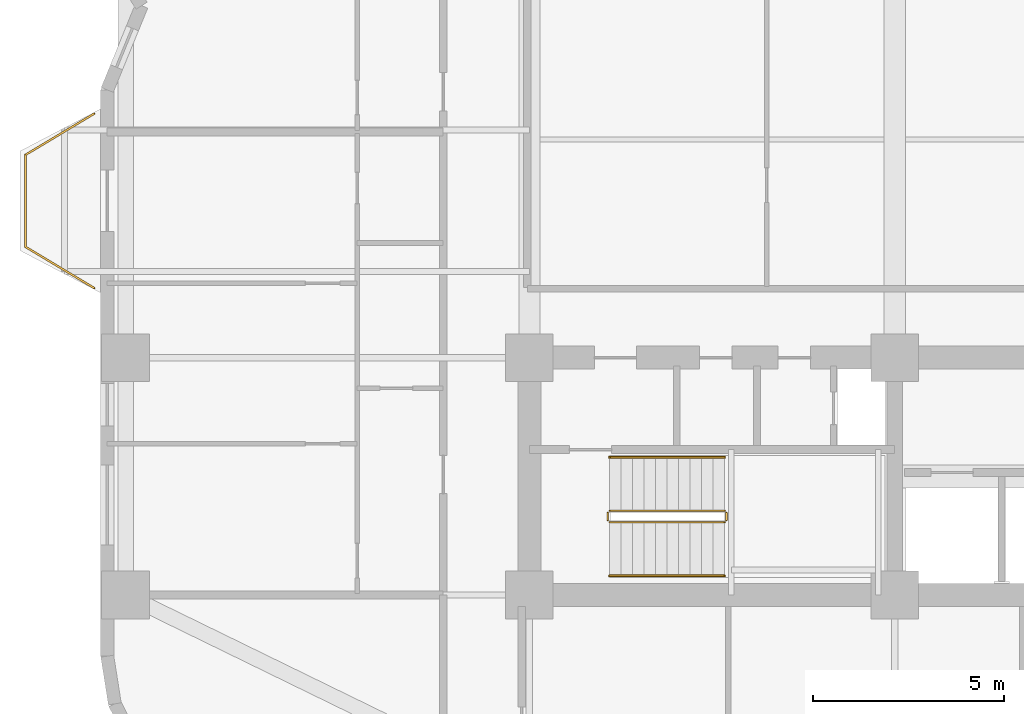
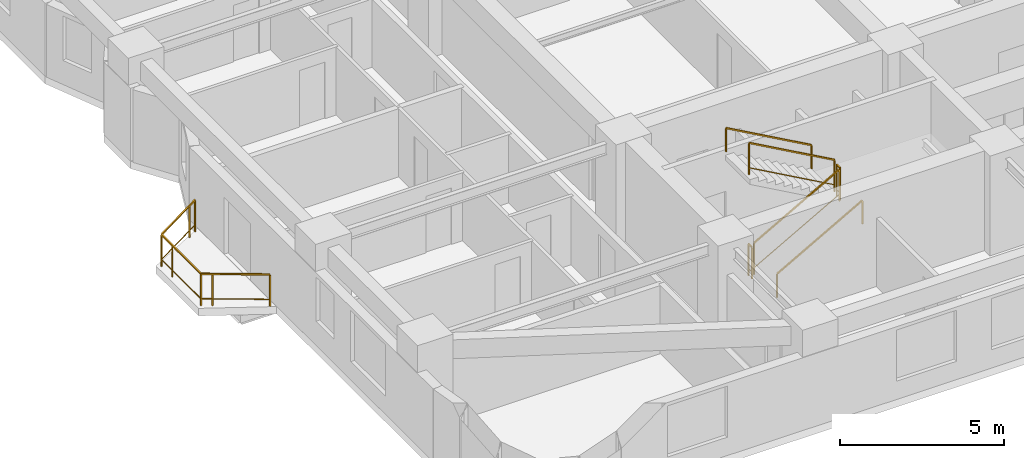
# One storey, part 12 of 13: 7 railings.
"""IFC4 building model written with IfcOpenShell, lengths in metres."""

import ifcopenshell
import ifcopenshell.guid

model = None  # the IFC model being written
_history = None  # IfcOwnerHistory: only IFC2X3 demands one
_inside = {}  # id of a spatial element -> (the spatial element, [elements in it])
_under = {}  # id of a project, library or spatial element -> (it, [spatial elements below it])
_declared = {}  # id of a project -> (the project, [libraries it declares])
_typed = {}  # id of a type object -> (the type object, [elements of that type])
_made_of = {}  # id of a material, layer set ... -> (it, [elements and type objects made of it])


def new_model(schema):
    """Start an empty IFC model of exactly this schema.

    Asked for "IFC4X3", IfcOpenShell would pick the latest addendum, in which some entities
    have other attributes; the version numbers below select the first issue.
    IFC2X3 requires an IfcOwnerHistory on every rooted entity: one is made here for all.
    """
    global model, _history
    if schema == "IFC4X3":
        model = ifcopenshell.file(schema_version=(4, 3, 0, 0))
    else:
        model = ifcopenshell.file(schema=schema)
    _inside.clear()
    _under.clear()
    _declared.clear()
    _typed.clear()
    _made_of.clear()
    _history = None
    if model.schema == "IFC2X3":
        org = make("IfcOrganization", Name="unknown")
        user = make(
            "IfcPersonAndOrganization",
            ThePerson=make("IfcPerson", FamilyName="unknown"),
            TheOrganization=org,
        )
        app = make(
            "IfcApplication",
            ApplicationDeveloper=org,
            Version="unknown",
            ApplicationFullName="unknown",
            ApplicationIdentifier="unknown",
        )
        _history = make(
            "IfcOwnerHistory",
            OwningUser=user,
            OwningApplication=app,
            ChangeAction="ADDED",
            CreationDate=0,
        )
    return model


def make(cls, **values):
    """One entity of the class cls with the attributes given. An attribute that is None is left unset."""
    return model.create_entity(
        cls, **{name: value for name, value in values.items() if value is not None}
    )


def rooted(cls, **values):
    """An entity with a GlobalId (a new one), such as an element, a storey or a relation."""
    return make(cls, GlobalId=ifcopenshell.guid.new(), OwnerHistory=_history, **values)


def si_unit(unit_type, name, prefix=None):
    """IfcSIUnit, for example si_unit("LENGTHUNIT", "METRE", prefix="MILLI")."""
    return make("IfcSIUnit", UnitType=unit_type, Prefix=prefix, Name=name)


def assignment(units):
    """IfcUnitAssignment: the units of a project."""
    return None if units is None else make("IfcUnitAssignment", Units=units)


def point(xyz):
    """IfcCartesianPoint."""
    return None if xyz is None else make("IfcCartesianPoint", Coordinates=xyz)


def direction(xyz):
    """IfcDirection."""
    return None if xyz is None else make("IfcDirection", DirectionRatios=xyz)


def frame(location, z_axis=None, x_axis=None):
    """IfcAxis2Placement3D, a coordinate frame: its origin and axes. An axis left out is left unset."""
    return make(
        "IfcAxis2Placement3D",
        Location=point(location),
        Axis=direction(z_axis),
        RefDirection=direction(x_axis),
    )


def frame_2d(location, x_axis=None):
    """IfcAxis2Placement2D, a coordinate frame in the plane: its origin and x axis."""
    return make(
        "IfcAxis2Placement2D", Location=point(location), RefDirection=direction(x_axis)
    )


def origin():
    """The frame at (0, 0, 0) with its axes left unset."""
    return frame((0.0, 0.0, 0.0))


def origin_2d():
    """The frame at (0, 0) in the plane with its x axis left unset."""
    return frame_2d((0.0, 0.0))


def place(relative_to, where):
    """IfcLocalPlacement: puts the frame where relative to a parent placement (None: the world)."""
    return make(
        "IfcLocalPlacement", PlacementRelTo=relative_to, RelativePlacement=where
    )


def context(
    kind, dimensions, precision=None, world=None, true_north=None, identifier=None
):
    """IfcGeometricRepresentationContext, for example the 3D "Model" context."""
    return make(
        "IfcGeometricRepresentationContext",
        ContextIdentifier=identifier,
        ContextType=kind,
        CoordinateSpaceDimension=dimensions,
        Precision=precision,
        WorldCoordinateSystem=world,
        TrueNorth=true_north,
    )


def subcontext(parent, identifier, kind, view, scale=None):
    """IfcGeometricRepresentationSubContext, for example "Body" below "Model"."""
    return make(
        "IfcGeometricRepresentationSubContext",
        ContextIdentifier=identifier,
        ContextType=kind,
        ParentContext=parent,
        TargetScale=scale,
        TargetView=view,
    )


def project(units=None, contexts=None):
    """IfcProject with its units and contexts."""
    return rooted(
        "IfcProject",
        Name="project",
        RepresentationContexts=contexts,
        UnitsInContext=assignment(units),
    )


def spatial(cls, under=None, at=None, **own):
    """A site, building, storey or space (cls), placed at a placement, below another one or the project."""
    s = rooted(cls, ObjectPlacement=at, **own)
    if under is not None:
        _under.setdefault(under.id(), (under, []))[1].append(s)
    return s


def profile(cls, at=None, kind="AREA", **sizes):
    """A parametric profile (cls). Its sizes go by their IFC names, for example OverallWidth=200.0."""
    return make(cls, ProfileType=kind, Position=at, **sizes)


def rectangle(**sizes):
    """IfcRectangleProfileDef."""
    return profile("IfcRectangleProfileDef", **sizes)


def extrude(swept, where, along, depth):
    """IfcExtrudedAreaSolid: the profile swept, set in the frame where, extruded along a direction by depth."""
    return make(
        "IfcExtrudedAreaSolid",
        SweptArea=swept,
        Position=where,
        ExtrudedDirection=direction(along),
        Depth=depth,
    )


def shape(context_of_items, identifier, shape_type, items):
    """IfcShapeRepresentation: the items that make up one representation, for example the "Body"."""
    return make(
        "IfcShapeRepresentation",
        ContextOfItems=context_of_items,
        RepresentationIdentifier=identifier,
        RepresentationType=shape_type,
        Items=items,
    )


def material(Name=None, Category=None):
    """IfcMaterial."""
    return make("IfcMaterial", Name=Name, Category=Category)


def made_of(thing, what):
    """Note that an element or type object is made of a material, layer set ...; save() writes the relation."""
    if what is not None:
        _made_of.setdefault(what.id(), (what, []))[1].append(thing)
    return thing


def type_object(cls, material=None, **own):
    """A type object (cls), such as IfcWallType, which elements share."""
    return made_of(rooted(cls, **own), material)


def element(
    cls,
    number,
    at=None,
    inside=None,
    cuts=None,
    type_object=None,
    material=None,
    context=None,
    identifier="Body",
    shape_type=None,
    held_by="IfcProductDefinitionShape",
    body=None,
    shapes=None,
    **own,
):
    """One element of the class cls, such as IfcWall. Its Tag is "e" and its number.

    at: its placement. inside: the storey or other place that contains it. cuts: it is an
    opening in that element (IfcRelVoidsElement). A single representation is given by context,
    identifier, shape_type and body (its items); several are given by shapes. held_by: the class
    of the entity that holds the representations. save() writes the other relations.
    """
    e = rooted(cls, Tag="e%d" % number, ObjectPlacement=at, **own)
    if body is not None:
        shapes = [shape(context, identifier, shape_type, body)]
    if shapes is not None:
        e.Representation = make(held_by, Representations=shapes)
    if inside is not None:
        _inside.setdefault(inside.id(), (inside, []))[1].append(e)
    if cuts is not None:
        rooted(
            "IfcRelVoidsElement", RelatingBuildingElement=cuts, RelatedOpeningElement=e
        )
    if type_object is not None:
        _typed.setdefault(type_object.id(), (type_object, []))[1].append(e)
    return made_of(e, material)


def aggregate(whole, parts):
    """IfcRelAggregates: a whole, such as a stair, and the parts it consists of."""
    return rooted("IfcRelAggregates", RelatingObject=whole, RelatedObjects=parts)


def save(model, path):
    """Write the relations noted so far, then the file.

    IfcRelAggregates (storeys below a building ...), IfcRelContainedInSpatialStructure (elements
    in a storey), IfcRelDefinesByType, IfcRelAssociatesMaterial and IfcRelDeclares: one each for
    every whole, place, type object, material and project.
    """
    for whole, parts in _under.values():
        aggregate(whole, parts)
    for where, things in _inside.values():
        rooted(
            "IfcRelContainedInSpatialStructure",
            RelatedElements=things,
            RelatingStructure=where,
        )
    for kind, things in _typed.values():
        rooted("IfcRelDefinesByType", RelatedObjects=things, RelatingType=kind)
    for what, things in _made_of.values():
        rooted("IfcRelAssociatesMaterial", RelatedObjects=things, RelatingMaterial=what)
    for by, libraries in _declared.values():
        rooted("IfcRelDeclares", RelatingContext=by, RelatedDefinitions=libraries)
    model.write(path)


model = new_model("IFC4")

# Units and contexts
model_context = context("Model", 3, precision=1e-05, world=origin(), true_north=direction((0.0, 1.0)))
body_context = subcontext(model_context, "Body", "Model", "MODEL_VIEW")
ifc_project = project(units=[si_unit("LENGTHUNIT", "METRE"), si_unit("AREAUNIT", "SQUARE_METRE"), si_unit("VOLUMEUNIT", "CUBIC_METRE"), si_unit("PLANEANGLEUNIT", "RADIAN"), si_unit("MASSUNIT", "GRAM", prefix="KILO")], contexts=[model_context])

# Site, building, storey
site_placement = place(None, origin())
site = spatial("IfcSite", under=ifc_project, at=site_placement, CompositionType="ELEMENT")
building_placement = place(site_placement, origin())
building = spatial("IfcBuilding", under=site, at=building_placement, Name="Svetorya Sky Lyceum", CompositionType="ELEMENT")
storey_placement = place(building_placement, frame((0.0, 0.0, 39.89990234375)))
storey = spatial("IfcBuildingStorey", under=building, at=storey_placement, Name="L09", CompositionType="ELEMENT", Elevation=39.89990234375)

# Railings
ifc_material_1 = material(Name="Laminated safety glass and stainless AISI 316", Category="glass")
railing_type_1 = type_object("IfcRailingType", Name="RL-BAL-1200", PredefinedType="BALUSTRADE", material=ifc_material_1)
railing_1_placement = place(storey_placement, frame((14.22998046875, 18.6201171875, 0.0)))
element("IfcRailing", 1, at=railing_1_placement, inside=storey, type_object=railing_type_1, Name="L09 Balcony Balustrade BAL-W1", PredefinedType="BALUSTRADE", context=body_context, shape_type="SweptSolid", body=[
    extrude(rectangle(XDim=0.048095703125, YDim=0.048095703125, at=origin_2d()), frame((0.0, 0.0, 1.17578125), z_axis=(-0.85753397263, 0.514427337711, 0.0), x_axis=(-0.514427337711, -0.85753397263, 0.0)), (0.0, 0.0, 1.0), 2.09912109375),
    extrude(rectangle(XDim=0.02392578125, YDim=0.02392578125, at=origin_2d()), frame((0.0, 0.0, 0.25), z_axis=(-0.85753397263, 0.514427337711, 0.0), x_axis=(-0.514427337711, -0.85753397263, 0.0)), (0.0, 0.0, 1.0), 2.09912109375),
    extrude(rectangle(XDim=0.048095703125, YDim=0.048095703125, at=origin_2d()), frame((-1.800048828125, 1.079833984375, 1.17578125), z_axis=(0.0, 1.0, 0.0), x_axis=(-1.0, 0.0, 0.0)), (0.0, 0.0, 1.0), 2.400146484375),
    extrude(rectangle(XDim=0.02392578125, YDim=0.02392578125, at=origin_2d()), frame((-1.800048828125, 1.079833984375, 0.25), z_axis=(0.0, 1.0, 0.0), x_axis=(-1.0, 0.0, 0.0)), (0.0, 0.0, 1.0), 2.400146484375),
    extrude(rectangle(XDim=0.048095703125, YDim=0.048095703125, at=origin_2d()), frame((-1.800048828125, 3.47998046875, 1.17578125), z_axis=(0.85753397263, 0.514427337711, 0.0), x_axis=(-0.514427337711, 0.85753397263, 0.0)), (0.0, 0.0, 1.0), 2.09912109375),
    extrude(rectangle(XDim=0.02392578125, YDim=0.02392578125, at=origin_2d()), frame((-1.800048828125, 3.47998046875, 0.25), z_axis=(0.85753397263, 0.514427337711, 0.0), x_axis=(-0.514427337711, 0.85753397263, 0.0)), (0.0, 0.0, 1.0), 2.09912109375),
    extrude(rectangle(XDim=0.0419921875, YDim=0.0419921875, at=origin_2d()), origin(), (0.0, 0.0, 1.0), 1.15185546875),
    extrude(rectangle(XDim=0.0419921875, YDim=0.0419921875, at=origin_2d()), frame((-1.500732421875, 0.900146484375, 0.0)), (0.0, 0.0, 1.0), 1.15185546875),
    extrude(rectangle(XDim=0.0419921875, YDim=0.0419921875, at=origin_2d()), frame((-1.800048828125, 1.079833984375, 0.0)), (0.0, 0.0, 1.0), 1.15185546875),
    extrude(rectangle(XDim=0.0419921875, YDim=0.0419921875, at=origin_2d()), frame((-1.800048828125, 2.829833984375, 0.0)), (0.0, 0.0, 1.0), 1.15185546875),
    extrude(rectangle(XDim=0.0419921875, YDim=0.0419921875, at=origin_2d()), frame((-1.800048828125, 3.47998046875, 0.0)), (0.0, 0.0, 1.0), 1.15185546875),
    extrude(rectangle(XDim=0.0419921875, YDim=0.0419921875, at=origin_2d()), frame((-0.29931640625, 4.380126953125, 0.0)), (0.0, 0.0, 1.0), 1.15185546875),
    extrude(rectangle(XDim=0.0419921875, YDim=0.0419921875, at=origin_2d()), frame((0.0, 4.559814453125, 0.0)), (0.0, 0.0, 1.0), 1.15185546875),
])
ifc_material_2 = material(Name="Painted galvanized stair well guard")
railing_type_2 = type_object("IfcRailingType", Name="RL-STR-GUARD-1200", PredefinedType="GUARDRAIL", material=ifc_material_2)
railing_2_placement = place(storey_placement, frame((27.699951171875, 12.5, 0.168212890625)))
element("IfcRailing", 2, at=railing_2_placement, inside=storey, type_object=railing_type_2, Name="L09 ST-S stair guard 1", PredefinedType="GUARDRAIL", context=body_context, shape_type="SweptSolid", body=[
    extrude(rectangle(XDim=0.048095703125, YDim=0.048095703125, at=origin_2d()), frame((0.0, 0.0, 1.17578125), z_axis=(0.872272294576, 0.0, 0.489020494575), x_axis=(0.0, 1.0, 0.0)), (0.0, 0.0, 1.0), 3.439208984375),
    extrude(rectangle(XDim=0.02392578125, YDim=0.02392578125, at=origin_2d()), frame((0.0, 0.0, 0.25), z_axis=(0.872272294576, 0.0, 0.489020494575), x_axis=(0.0, 1.0, 0.0)), (0.0, 0.0, 1.0), 3.439208984375),
    extrude(rectangle(XDim=0.0419921875, YDim=0.0419921875, at=origin_2d()), origin(), (0.0, 0.0, 1.0), 1.15185546875),
    extrude(rectangle(XDim=0.0419921875, YDim=0.0419921875, at=origin_2d()), frame((3.0, 0.0, 1.681884765625)), (0.0, 0.0, 1.0), 1.15185546875),
])
railing_3_placement = place(storey_placement, frame((30.75, 12.550048828125, 1.85009765625)))
element("IfcRailing", 3, at=railing_3_placement, inside=storey, type_object=railing_type_2, Name="L09 ST-S stair guard 2", PredefinedType="GUARDRAIL", context=body_context, shape_type="SweptSolid", body=[
    extrude(rectangle(XDim=0.048095703125, YDim=0.048095703125, at=origin_2d()), frame((0.0, 0.0, 1.17578125), z_axis=(0.0, 1.0, 0.0), x_axis=(-1.0, 0.0, 0.0)), (0.0, 0.0, 1.0), 0.199951171875),
    extrude(rectangle(XDim=0.02392578125, YDim=0.02392578125, at=origin_2d()), frame((0.0, 0.0, 0.25), z_axis=(0.0, 1.0, 0.0), x_axis=(-1.0, 0.0, 0.0)), (0.0, 0.0, 1.0), 0.199951171875),
    extrude(rectangle(XDim=0.0419921875, YDim=0.0419921875, at=origin_2d()), origin(), (0.0, 0.0, 1.0), 1.15185546875),
    extrude(rectangle(XDim=0.0419921875, YDim=0.0419921875, at=origin_2d()), frame((0.0, 0.199951171875, 0.0)), (0.0, 0.0, 1.0), 1.15185546875),
])
railing_4_placement = place(storey_placement, frame((30.699951171875, 12.800048828125, 2.018310546875)))
element("IfcRailing", 4, at=railing_4_placement, inside=storey, type_object=railing_type_2, Name="L09 ST-S stair guard 3", PredefinedType="GUARDRAIL", context=body_context, shape_type="SweptSolid", body=[
    extrude(rectangle(XDim=0.048095703125, YDim=0.048095703125, at=origin_2d()), frame((0.0, 0.0, 1.17578125), z_axis=(-0.872272294576, 0.0, 0.489020494575), x_axis=(0.0, -1.0, 0.0)), (0.0, 0.0, 1.0), 3.439208984375),
    extrude(rectangle(XDim=0.02392578125, YDim=0.02392578125, at=origin_2d()), frame((0.0, 0.0, 0.25), z_axis=(-0.872272294576, 0.0, 0.489020494575), x_axis=(0.0, -1.0, 0.0)), (0.0, 0.0, 1.0), 3.439208984375),
    extrude(rectangle(XDim=0.0419921875, YDim=0.0419921875, at=origin_2d()), origin(), (0.0, 0.0, 1.0), 1.15185546875),
    extrude(rectangle(XDim=0.0419921875, YDim=0.0419921875, at=origin_2d()), frame((-3.0, 0.0, 1.681884765625)), (0.0, 0.0, 1.0), 1.15185546875),
])
railing_5_placement = place(storey_placement, frame((27.64990234375, 12.550048828125, 0.0)))
element("IfcRailing", 5, at=railing_5_placement, inside=storey, type_object=railing_type_2, Name="L09 ST-S stair guard 4", PredefinedType="GUARDRAIL", context=body_context, shape_type="SweptSolid", body=[
    extrude(rectangle(XDim=0.048095703125, YDim=0.048095703125, at=origin_2d()), frame((0.0, 0.0, 1.17578125), z_axis=(0.0, 1.0, 0.0), x_axis=(-1.0, 0.0, 0.0)), (0.0, 0.0, 1.0), 0.199951171875),
    extrude(rectangle(XDim=0.02392578125, YDim=0.02392578125, at=origin_2d()), frame((0.0, 0.0, 0.25), z_axis=(0.0, 1.0, 0.0), x_axis=(-1.0, 0.0, 0.0)), (0.0, 0.0, 1.0), 0.199951171875),
    extrude(rectangle(XDim=0.0419921875, YDim=0.0419921875, at=origin_2d()), origin(), (0.0, 0.0, 1.0), 1.15185546875),
    extrude(rectangle(XDim=0.0419921875, YDim=0.0419921875, at=origin_2d()), frame((0.0, 0.199951171875, 0.0)), (0.0, 0.0, 1.0), 1.15185546875),
])
ifc_material_3 = material(Name="Brushed stainless AISI 304 stair handrail")
railing_type_3 = type_object("IfcRailingType", Name="RL-STR-HAND-920", PredefinedType="HANDRAIL", material=ifc_material_3)
railing_6_placement = place(storey_placement, frame((27.699951171875, 11.10009765625, 0.168212890625)))
element("IfcRailing", 6, at=railing_6_placement, inside=storey, type_object=railing_type_3, Name="L09 ST-S stair handrail 1", PredefinedType="HANDRAIL", context=body_context, shape_type="SweptSolid", body=[
    extrude(rectangle(XDim=0.048095703125, YDim=0.048095703125, at=origin_2d()), frame((0.0, 0.0, 0.8759765625), z_axis=(0.872272294576, 0.0, 0.489020494575), x_axis=(0.0, 1.0, 0.0)), (0.0, 0.0, 1.0), 3.439208984375),
    extrude(rectangle(XDim=0.0419921875, YDim=0.0419921875, at=origin_2d()), origin(), (0.0, 0.0, 1.0), 0.851806640625),
    extrude(rectangle(XDim=0.0419921875, YDim=0.0419921875, at=origin_2d()), frame((3.0, 0.0, 1.681884765625)), (0.0, 0.0, 1.0), 0.851806640625),
])
railing_7_placement = place(storey_placement, frame((30.699951171875, 14.199951171875, 2.018310546875)))
element("IfcRailing", 7, at=railing_7_placement, inside=storey, type_object=railing_type_3, Name="L09 ST-S stair handrail 2", PredefinedType="HANDRAIL", context=body_context, shape_type="SweptSolid", body=[
    extrude(rectangle(XDim=0.048095703125, YDim=0.048095703125, at=origin_2d()), frame((0.0, 0.0, 0.8759765625), z_axis=(-0.872272294576, 0.0, 0.489020494575), x_axis=(0.0, -1.0, 0.0)), (0.0, 0.0, 1.0), 3.439208984375),
    extrude(rectangle(XDim=0.0419921875, YDim=0.0419921875, at=origin_2d()), origin(), (0.0, 0.0, 1.0), 0.851806640625),
    extrude(rectangle(XDim=0.0419921875, YDim=0.0419921875, at=origin_2d()), frame((-3.0, 0.0, 1.681884765625)), (0.0, 0.0, 1.0), 0.851806640625),
])

save(model, "model.ifc")
